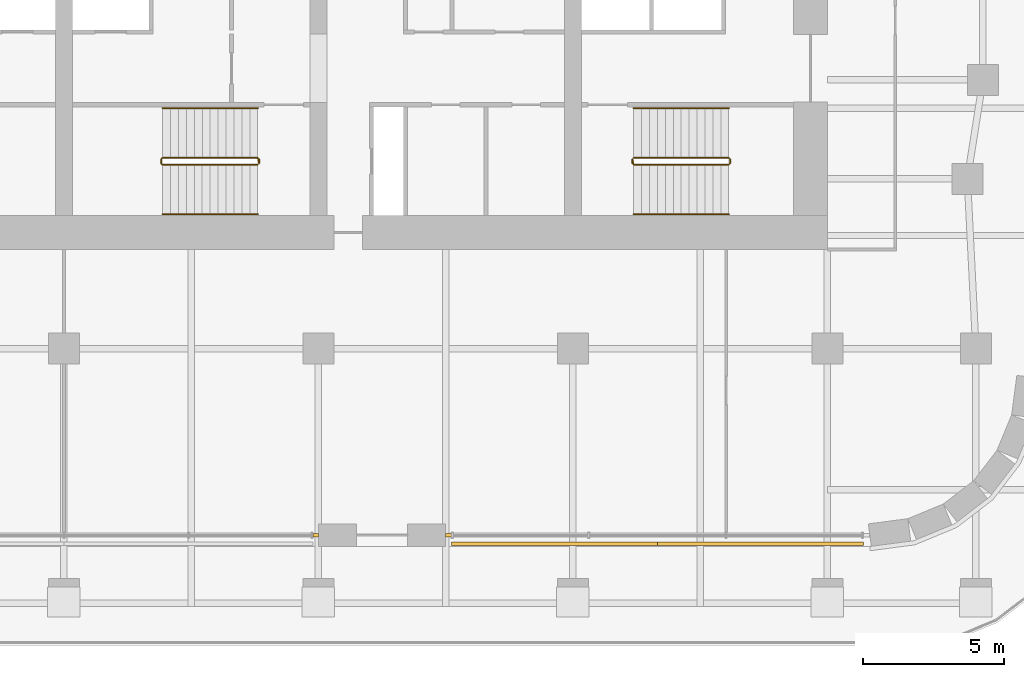
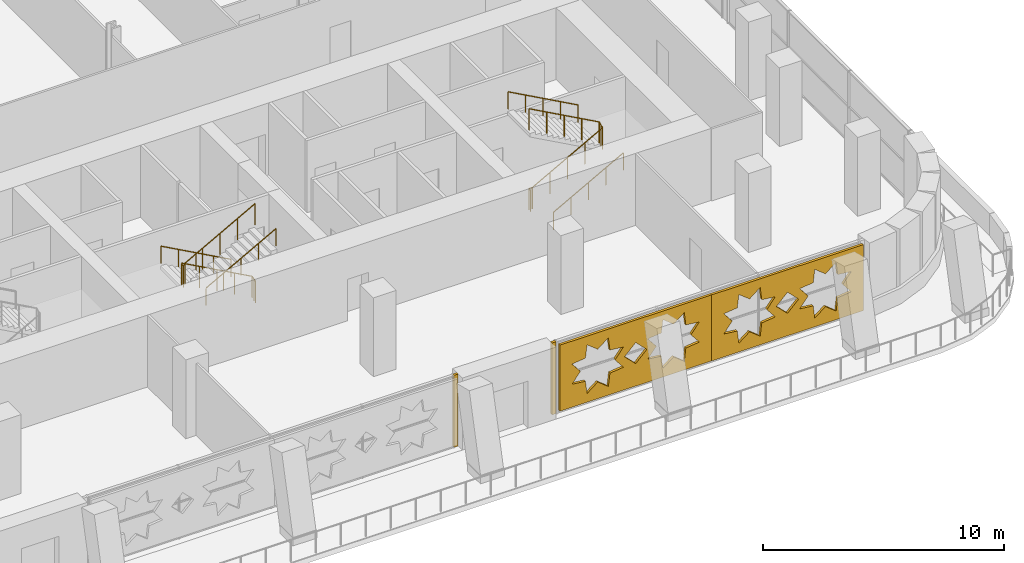
# One storey, part 21 of 26: 6 railings, 4 coverings.
"""IFC4 building model written with IfcOpenShell, lengths in metres."""

from ifc_helpers import new_model, si_unit, direction, frame, origin, origin_2d, place, context, subcontext, project, spatial, polyline, rectangle, circle, outline, extrude, material, layer, layer_set, type_object, element, save


model = new_model("IFC4")

# Units and contexts
model_context = context("Model", 3, precision=1e-05, world=origin(), true_north=direction((0.0, 1.0)))
body_context = subcontext(model_context, "Body", "Model", "MODEL_VIEW")
ifc_project = project(units=[si_unit("LENGTHUNIT", "METRE"), si_unit("AREAUNIT", "SQUARE_METRE"), si_unit("VOLUMEUNIT", "CUBIC_METRE"), si_unit("PLANEANGLEUNIT", "RADIAN"), si_unit("MASSUNIT", "GRAM", prefix="KILO")], contexts=[model_context])

# Site, building, storey
site_placement = place(None, origin())
site = spatial("IfcSite", under=ifc_project, at=site_placement, CompositionType="ELEMENT")
building_placement = place(site_placement, origin())
building = spatial("IfcBuilding", under=site, at=building_placement, Name="Zellij Exchange Tower", CompositionType="ELEMENT")
storey_placement = place(building_placement, frame((0.0, 0.0, 100.5)))
storey = spatial("IfcBuildingStorey", under=building, at=storey_placement, Name="L21", CompositionType="ELEMENT", Elevation=100.5)

# Railings
ifc_material_1 = material(Name="Stainless steel", Category="steel")
railing_type_1 = type_object("IfcRailingType", Name="CORE-RG stair guard", PredefinedType="GUARDRAIL", material=ifc_material_1)
railing_1_placement = place(storey_placement, frame((6.89990234375, -10.800048828125, 0.0)))
element("IfcRailing", 1, at=railing_1_placement, inside=storey, type_object=railing_type_1, Name="ST3 stair guard L21", PredefinedType="GUARDRAIL", context=body_context, shape_type="SweptSolid", body=[
    extrude(circle(Radius=0.02392578125, at=origin_2d()), frame((0.0, 0.0, 1.076171875), z_axis=(0.0, -1.0, 0.0), x_axis=(1.0, 0.0, 0.0)), (0.0, 0.0, 1.0), 0.14990234375),
    extrude(circle(Radius=0.02392578125, at=origin_2d()), frame((0.0, -0.14990234375, 1.076171875), z_axis=(-0.193691321961, 0.777613689637, 0.598164376644), x_axis=(-0.970351222016, -0.241699205484, 0.0)), (0.0, 0.0, 1.0), 0.257080078125),
    extrude(circle(Radius=0.02392578125, at=origin_2d()), frame((-0.0498046875, 0.050048828125, 1.22998046875), z_axis=(-0.876421534553, 0.0, 0.481544695509), x_axis=(0.0, -1.0, 0.0)), (0.0, 0.0, 1.0), 3.833984375),
    extrude(circle(Radius=0.02392578125, at=origin_2d()), frame((-3.409912109375, 0.050048828125, 3.076171875), z_axis=(-0.707106781187, -0.707106781187, 0.0), x_axis=(0.707106781187, -0.707106781187, 0.0)), (0.0, 0.0, 1.0), 0.07080078125),
    extrude(circle(Radius=0.02392578125, at=origin_2d()), frame((-3.4599609375, 0.0, 3.076171875), z_axis=(0.0, -1.0, 0.0), x_axis=(1.0, 0.0, 0.0)), (0.0, 0.0, 1.0), 0.14990234375),
    extrude(circle(Radius=0.02392578125, at=origin_2d()), frame((-3.4599609375, -0.14990234375, 3.076171875), z_axis=(0.295599637079, -0.295599637079, 0.908428152975), x_axis=(0.707106781187, 0.707106781187, 0.0)), (0.0, 0.0, 1.0), 0.16943359375),
    extrude(circle(Radius=0.02392578125, at=origin_2d()), frame((-3.409912109375, -0.199951171875, 3.22998046875), z_axis=(0.876421534553, 0.0, 0.481544695509), x_axis=(0.0, 1.0, 0.0)), (0.0, 0.0, 1.0), 3.833984375),
    extrude(circle(Radius=0.02099609375, at=origin_2d()), origin(), (0.0, 0.0, 1.0), 1.052001953125),
    extrude(circle(Radius=0.02099609375, at=origin_2d()), frame((0.0, -0.14990234375, 0.0)), (0.0, 0.0, 1.0), 1.052001953125),
    extrude(circle(Radius=0.02099609375, at=origin_2d()), frame((-0.0498046875, 0.050048828125, 0.15380859375)), (0.0, 0.0, 1.0), 1.052001953125),
    extrude(circle(Radius=0.02099609375, at=origin_2d()), frame((-0.889892578125, 0.050048828125, 0.615234375)), (0.0, 0.0, 1.0), 1.052001953125),
    extrude(circle(Radius=0.02099609375, at=origin_2d()), frame((-1.72998046875, 0.050048828125, 1.076904296875)), (0.0, 0.0, 1.0), 1.052001953125),
    extrude(circle(Radius=0.02099609375, at=origin_2d()), frame((-2.56982421875, 0.050048828125, 1.53857421875)), (0.0, 0.0, 1.0), 1.052001953125),
    extrude(circle(Radius=0.02099609375, at=origin_2d()), frame((-3.409912109375, 0.050048828125, 2.0)), (0.0, 0.0, 1.0), 1.052001953125),
    extrude(circle(Radius=0.02099609375, at=origin_2d()), frame((-3.4599609375, 0.0, 2.0)), (0.0, 0.0, 1.0), 1.052001953125),
    extrude(circle(Radius=0.02099609375, at=origin_2d()), frame((-3.4599609375, -0.14990234375, 2.0)), (0.0, 0.0, 1.0), 1.052001953125),
    extrude(circle(Radius=0.02099609375, at=origin_2d()), frame((-3.409912109375, -0.199951171875, 2.15380859375)), (0.0, 0.0, 1.0), 1.052001953125),
    extrude(circle(Radius=0.02099609375, at=origin_2d()), frame((-2.56982421875, -0.199951171875, 2.615234375)), (0.0, 0.0, 1.0), 1.052001953125),
    extrude(circle(Radius=0.02099609375, at=origin_2d()), frame((-1.72998046875, -0.199951171875, 3.076904296875)), (0.0, 0.0, 1.0), 1.052001953125),
    extrude(circle(Radius=0.02099609375, at=origin_2d()), frame((-0.889892578125, -0.199951171875, 3.53857421875)), (0.0, 0.0, 1.0), 1.052001953125),
    extrude(circle(Radius=0.02099609375, at=origin_2d()), frame((-0.0498046875, -0.199951171875, 4.0)), (0.0, 0.0, 1.0), 1.052001953125),
])
railing_2_placement = place(storey_placement, frame((20.10009765625, -10.949951171875, 0.0)))
element("IfcRailing", 2, at=railing_2_placement, inside=storey, type_object=railing_type_1, Name="ST4 stair guard L21", PredefinedType="GUARDRAIL", context=body_context, shape_type="SweptSolid", body=[
    extrude(circle(Radius=0.02392578125, at=origin_2d()), frame((0.0, 0.0, 1.076171875), z_axis=(0.0, 1.0, 0.0), x_axis=(-1.0, 0.0, 0.0)), (0.0, 0.0, 1.0), 0.14990234375),
    extrude(circle(Radius=0.02392578125, at=origin_2d()), frame((0.0, 0.14990234375, 1.076171875), z_axis=(0.193691321961, -0.777613689637, 0.598164376644), x_axis=(0.970351222016, 0.241699205484, 0.0)), (0.0, 0.0, 1.0), 0.257080078125),
    extrude(circle(Radius=0.02392578125, at=origin_2d()), frame((0.0498046875, -0.050048828125, 1.22998046875), z_axis=(0.876421534553, 0.0, 0.481544695509), x_axis=(0.0, 1.0, 0.0)), (0.0, 0.0, 1.0), 3.833984375),
    extrude(circle(Radius=0.02392578125, at=origin_2d()), frame((3.409912109375, -0.050048828125, 3.076171875), z_axis=(0.707106781187, 0.707106781187, 0.0), x_axis=(-0.707106781187, 0.707106781187, 0.0)), (0.0, 0.0, 1.0), 0.07080078125),
    extrude(circle(Radius=0.02392578125, at=origin_2d()), frame((3.4599609375, 0.0, 3.076171875), z_axis=(0.0, 1.0, 0.0), x_axis=(-1.0, 0.0, 0.0)), (0.0, 0.0, 1.0), 0.14990234375),
    extrude(circle(Radius=0.02392578125, at=origin_2d()), frame((3.4599609375, 0.14990234375, 3.076171875), z_axis=(-0.295599637079, 0.295599637079, 0.908428152975), x_axis=(-0.707106781187, -0.707106781187, 0.0)), (0.0, 0.0, 1.0), 0.16943359375),
    extrude(circle(Radius=0.02392578125, at=origin_2d()), frame((3.409912109375, 0.199951171875, 3.22998046875), z_axis=(-0.876421534553, 0.0, 0.481544695509), x_axis=(0.0, -1.0, 0.0)), (0.0, 0.0, 1.0), 3.833984375),
    extrude(circle(Radius=0.02099609375, at=origin_2d()), origin(), (0.0, 0.0, 1.0), 1.052001953125),
    extrude(circle(Radius=0.02099609375, at=origin_2d()), frame((0.0, 0.14990234375, 0.0)), (0.0, 0.0, 1.0), 1.052001953125),
    extrude(circle(Radius=0.02099609375, at=origin_2d()), frame((0.0498046875, -0.050048828125, 0.15380859375)), (0.0, 0.0, 1.0), 1.052001953125),
    extrude(circle(Radius=0.02099609375, at=origin_2d()), frame((0.889892578125, -0.050048828125, 0.615234375)), (0.0, 0.0, 1.0), 1.052001953125),
    extrude(circle(Radius=0.02099609375, at=origin_2d()), frame((1.72998046875, -0.050048828125, 1.076904296875)), (0.0, 0.0, 1.0), 1.052001953125),
    extrude(circle(Radius=0.02099609375, at=origin_2d()), frame((2.56982421875, -0.050048828125, 1.53857421875)), (0.0, 0.0, 1.0), 1.052001953125),
    extrude(circle(Radius=0.02099609375, at=origin_2d()), frame((3.409912109375, -0.050048828125, 2.0)), (0.0, 0.0, 1.0), 1.052001953125),
    extrude(circle(Radius=0.02099609375, at=origin_2d()), frame((3.4599609375, 0.0, 2.0)), (0.0, 0.0, 1.0), 1.052001953125),
    extrude(circle(Radius=0.02099609375, at=origin_2d()), frame((3.4599609375, 0.14990234375, 2.0)), (0.0, 0.0, 1.0), 1.052001953125),
    extrude(circle(Radius=0.02099609375, at=origin_2d()), frame((3.409912109375, 0.199951171875, 2.15380859375)), (0.0, 0.0, 1.0), 1.052001953125),
    extrude(circle(Radius=0.02099609375, at=origin_2d()), frame((2.56982421875, 0.199951171875, 2.615234375)), (0.0, 0.0, 1.0), 1.052001953125),
    extrude(circle(Radius=0.02099609375, at=origin_2d()), frame((1.72998046875, 0.199951171875, 3.076904296875)), (0.0, 0.0, 1.0), 1.052001953125),
    extrude(circle(Radius=0.02099609375, at=origin_2d()), frame((0.889892578125, 0.199951171875, 3.53857421875)), (0.0, 0.0, 1.0), 1.052001953125),
    extrude(circle(Radius=0.02099609375, at=origin_2d()), frame((0.0498046875, 0.199951171875, 4.0)), (0.0, 0.0, 1.0), 1.052001953125),
])
railing_type_2 = type_object("IfcRailingType", Name="CORE-RH stair handrail", PredefinedType="HANDRAIL", material=ifc_material_1)
railing_3_placement = place(storey_placement, frame((6.85009765625, -9.0, 0.15380859375)))
element("IfcRailing", 3, at=railing_3_placement, inside=storey, type_object=railing_type_2, Name="ST3 stair handrail L21", PredefinedType="HANDRAIL", context=body_context, shape_type="SweptSolid", body=[
    extrude(circle(Radius=0.02392578125, at=origin_2d()), frame((0.0, 0.0, 0.8759765625), z_axis=(-0.876421534553, 0.0, 0.481544695509), x_axis=(0.0, -1.0, 0.0)), (0.0, 0.0, 1.0), 3.833984375),
    extrude(circle(Radius=0.02099609375, at=origin_2d()), origin(), (0.0, 0.0, 1.0), 0.851806640625),
    extrude(circle(Radius=0.02099609375, at=origin_2d()), frame((-0.840087890625, 0.0, 0.46142578125)), (0.0, 0.0, 1.0), 0.851806640625),
    extrude(circle(Radius=0.02099609375, at=origin_2d()), frame((-1.68017578125, 0.0, 0.923095703125)), (0.0, 0.0, 1.0), 0.851806640625),
    extrude(circle(Radius=0.02099609375, at=origin_2d()), frame((-2.52001953125, 0.0, 1.384765625)), (0.0, 0.0, 1.0), 0.851806640625),
    extrude(circle(Radius=0.02099609375, at=origin_2d()), frame((-3.360107421875, 0.0, 1.84619140625)), (0.0, 0.0, 1.0), 0.851806640625),
])
for number, where, name in (
    (4, (3.489990234375, -12.75, 2.15380859375), "ST3 stair handrail L21"),
    (5, (20.14990234375, -12.75, 0.15380859375), "ST4 stair handrail L21"),
):
    element("IfcRailing", number, at=place(storey_placement, frame(where)), inside=storey, type_object=railing_type_2, Name=name, PredefinedType="HANDRAIL", context=body_context, shape_type="SweptSolid", body=[
        extrude(circle(Radius=0.02392578125, at=origin_2d()), frame((0.0, 0.0, 0.8759765625), z_axis=(0.876421534553, 0.0, 0.481544695509), x_axis=(0.0, 1.0, 0.0)), (0.0, 0.0, 1.0), 3.833984375),
        extrude(circle(Radius=0.02099609375, at=origin_2d()), origin(), (0.0, 0.0, 1.0), 0.851806640625),
        extrude(circle(Radius=0.02099609375, at=origin_2d()), frame((0.840087890625, 0.0, 0.46142578125)), (0.0, 0.0, 1.0), 0.851806640625),
        extrude(circle(Radius=0.02099609375, at=origin_2d()), frame((1.68017578125, 0.0, 0.923095703125)), (0.0, 0.0, 1.0), 0.851806640625),
        extrude(circle(Radius=0.02099609375, at=origin_2d()), frame((2.52001953125, 0.0, 1.384765625)), (0.0, 0.0, 1.0), 0.851806640625),
        extrude(circle(Radius=0.02099609375, at=origin_2d()), frame((3.360107421875, 0.0, 1.84619140625)), (0.0, 0.0, 1.0), 0.851806640625),
    ])
railing_4_placement = place(storey_placement, frame((23.510009765625, -9.0, 2.15380859375)))
element("IfcRailing", 6, at=railing_4_placement, inside=storey, type_object=railing_type_2, Name="ST4 stair handrail L21", PredefinedType="HANDRAIL", context=body_context, shape_type="SweptSolid", body=[
    extrude(circle(Radius=0.02392578125, at=origin_2d()), frame((0.0, 0.0, 0.8759765625), z_axis=(-0.876421534553, 0.0, 0.481544695509), x_axis=(0.0, -1.0, 0.0)), (0.0, 0.0, 1.0), 3.833984375),
    extrude(circle(Radius=0.02099609375, at=origin_2d()), origin(), (0.0, 0.0, 1.0), 0.851806640625),
    extrude(circle(Radius=0.02099609375, at=origin_2d()), frame((-0.840087890625, 0.0, 0.46142578125)), (0.0, 0.0, 1.0), 0.851806640625),
    extrude(circle(Radius=0.02099609375, at=origin_2d()), frame((-1.68017578125, 0.0, 0.923095703125)), (0.0, 0.0, 1.0), 0.851806640625),
    extrude(circle(Radius=0.02099609375, at=origin_2d()), frame((-2.52001953125, 0.0, 1.384765625)), (0.0, 0.0, 1.0), 0.851806640625),
    extrude(circle(Radius=0.02099609375, at=origin_2d()), frame((-3.360107421875, 0.0, 1.84619140625)), (0.0, 0.0, 1.0), 0.851806640625),
])

# Coverings
ifc_material_2 = material(Name="Limestone cladding", Category="masonry")
ifc_layer_1 = layer(ifc_material_2, 0.1201171875)
ifc_layer_set_1 = layer_set([ifc_layer_1], Name="Limestone cladding")
covering_type_1 = type_object("IfcCoveringType", Name="ENV-CV18 Glazing closer 120", PredefinedType="CLADDING", material=ifc_layer_set_1)
for number, where, z_axis, x_axis, name in (
    (7, (8.89990234375, -24.10009765625, 0.0), (0.0, 0.0, 1.0), (1.0, 0.0, 0.0), "Glazing closer"),
    (8, (13.60009765625, -24.10009765625, 0.0), (0.0, 0.0, 1.0), (-1.0, 0.0, 0.0), "Glazing closer"),
):
    element("IfcCovering", number, at=place(storey_placement, frame(where, z_axis=z_axis, x_axis=x_axis)), inside=storey, type_object=covering_type_1, Name=name, PredefinedType="CLADDING", context=body_context, shape_type="SweptSolid", body=[
        extrude(rectangle(XDim=0.199951171875, YDim=0.1201171875, at=origin_2d()), origin(), (0.0, 0.0, 1.0), 3.64990234375),
    ])
ifc_material_3 = material(Name="Limestone screen", Category="masonry")
ifc_layer_2 = layer(ifc_material_3, 0.1201171875)
ifc_layer_set_2 = layer_set([ifc_layer_2], Name="Limestone screen")
covering_type_2 = type_object("IfcCoveringType", Name="ENV-SC1 Pierced stone screen 120", PredefinedType="USERDEFINED", material=ifc_layer_set_2)
for number, where, z_axis, x_axis, name in (
    (9, (13.699951171875, -24.39990234375, 0.300048828125), (0.0, 0.0, 1.0), (1.0, 0.0, 0.0), "Pierced stone screen"),
    (10, (20.98681640625, -24.39990234375, 0.300048828125), (0.0, 0.0, 1.0), (1.0, 0.0, 0.0), "Pierced stone screen"),
):
    element("IfcCovering", number, at=place(storey_placement, frame(where, z_axis=z_axis, x_axis=x_axis)), inside=storey, type_object=covering_type_2, Name=name, ObjectType="SCREEN", PredefinedType="USERDEFINED", context=body_context, shape_type="SweptSolid", body=[
        extrude(outline(polyline([(0.0, 0.0), (7.286865234375, 0.0), (7.286865234375, 3.35009765625), (0.0, 3.35009765625), (0.0, 0.0)]), holes=[polyline([(3.059814453125, 2.187744140625), (2.4091796875, 2.262451171875), (2.33447265625, 2.9130859375), (1.82177734375, 2.505859375), (1.308837890625, 2.9130859375), (1.234375, 2.262451171875), (0.583740234375, 2.187744140625), (0.990966796875, 1.675048828125), (0.583740234375, 1.162109375), (1.234375, 1.08740234375), (1.308837890625, 0.43701171875), (1.82177734375, 0.84423828125), (2.33447265625, 0.43701171875), (2.4091796875, 1.08740234375), (3.059814453125, 1.162109375), (2.652587890625, 1.675048828125), (3.059814453125, 2.187744140625)]), polyline([(6.703125, 2.187744140625), (6.052490234375, 2.262451171875), (5.97802734375, 2.9130859375), (5.465087890625, 2.505859375), (4.952392578125, 2.9130859375), (4.877685546875, 2.262451171875), (4.227294921875, 2.187744140625), (4.634521484375, 1.675048828125), (4.227294921875, 1.162109375), (4.877685546875, 1.08740234375), (4.952392578125, 0.43701171875), (5.465087890625, 0.84423828125), (5.97802734375, 0.43701171875), (6.052490234375, 1.08740234375), (6.703125, 1.162109375), (6.2958984375, 1.675048828125), (6.703125, 2.187744140625)]), polyline([(4.179443359375, 1.675048828125), (3.643310546875, 2.2109375), (3.107421875, 1.675048828125), (3.643310546875, 1.138916015625), (4.179443359375, 1.675048828125)])]), frame((0.0, 0.06005859375, 0.0), z_axis=(0.0, -1.0, 0.0), x_axis=(1.0, 0.0, 0.0)), (0.0, 0.0, 1.0), 0.1201171875),
    ])

save(model, "model.ifc")
